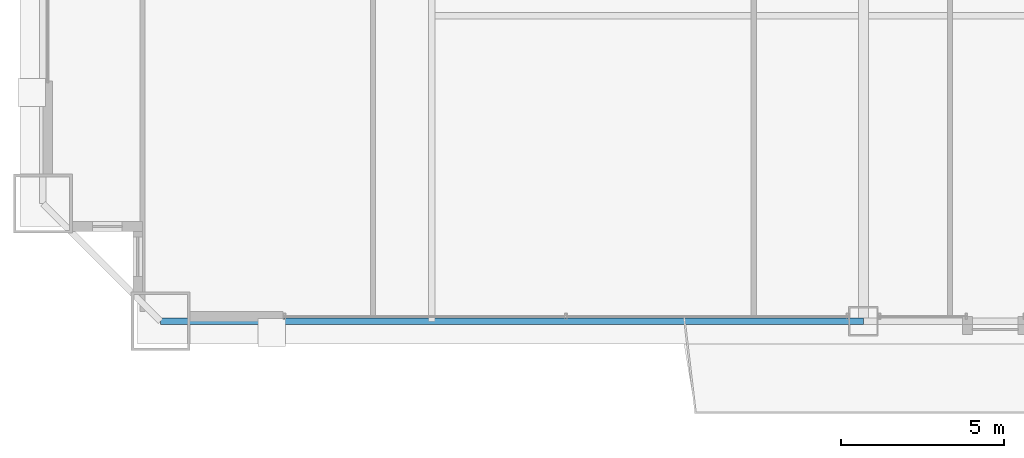
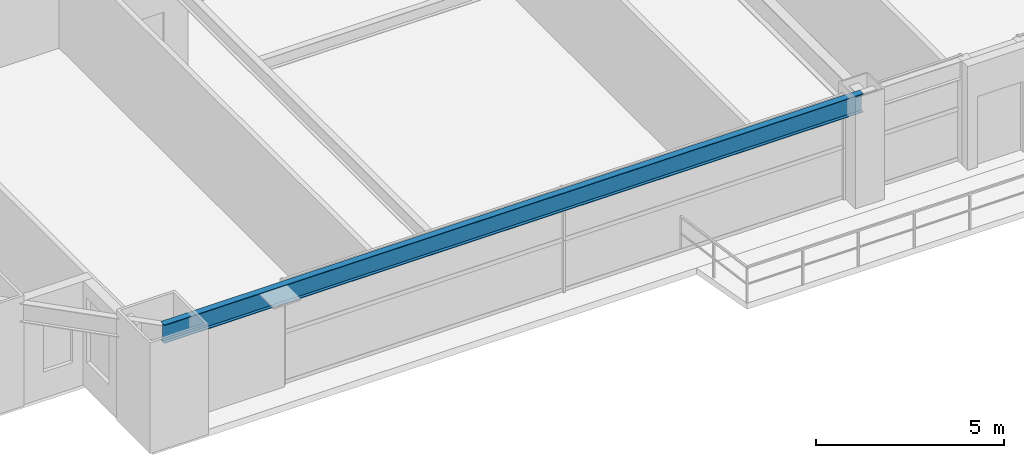
# One storey, part 4 of 43: 1 beam.
"""IFC4 building model written with IfcOpenShell, lengths in metres."""

from ifc_helpers import new_model, si_unit, direction, frame, origin, origin_2d, place, context, subcontext, project, spatial, i_section, extrude, source, transform, mapped, material, material_profile, profile_set, type_object, element, save


model = new_model("IFC4")

# Units and contexts
model_context = context("Model", 3, precision=1e-05, world=origin(), true_north=direction((0.0, 1.0)))
body_context = subcontext(model_context, "Body", "Model", "MODEL_VIEW")
ifc_project = project(units=[si_unit("LENGTHUNIT", "METRE"), si_unit("AREAUNIT", "SQUARE_METRE"), si_unit("VOLUMEUNIT", "CUBIC_METRE"), si_unit("PLANEANGLEUNIT", "RADIAN"), si_unit("MASSUNIT", "GRAM", prefix="KILO"), si_unit("THERMODYNAMICTEMPERATUREUNIT", "KELVIN"), si_unit("POWERUNIT", "WATT")], contexts=[model_context])

# Site, building, storey
site_placement = place(None, origin())
site = spatial("IfcSite", under=ifc_project, at=site_placement, CompositionType="ELEMENT")
building_placement = place(site_placement, origin())
building = spatial("IfcBuilding", under=site, at=building_placement, Name="Yuzanri Waterfront Tower", CompositionType="ELEMENT")
storey_placement = place(building_placement, frame((0.0, 0.0, 78.39990234375)))
storey = spatial("IfcBuildingStorey", under=building, at=storey_placement, Name="L20", CompositionType="ELEMENT", Elevation=78.39990234375)

# Beam
ifc_material = material(Name="Steel Q355B", Category="steel")
ifc_material_profile = material_profile(ifc_material, i_section(OverallWidth=0.199951171875, OverallDepth=0.60009765625, WebThickness=0.010986328125, FlangeThickness=0.01708984375, at=origin_2d()), Name="HN 600x200x11x17")
ifc_profile_set = profile_set([ifc_material_profile], Name="Steel Q355B")
beam_type = type_object("IfcBeamType", Name="Perimeter Spandrel Q355B HN 600x200", PredefinedType="SPANDREL", material=ifc_profile_set)
shared_shape = source(origin(), body_context, "Body", "SweptSolid", [
    extrude(i_section(OverallWidth=0.199951171875, OverallDepth=0.60009765625, WebThickness=0.010986328125, FlangeThickness=0.01708984375, at=origin_2d()), origin(), (0.0, 0.0, 1.0), 21.5),
])
beam_placement = place(storey_placement, frame((15.5, 0.699951171875, 3.080078125), z_axis=(1.0, 0.0, 0.0), x_axis=(0.0, 1.0, 0.0)))
element("IfcBeam", 1, at=beam_placement, inside=storey, type_object=beam_type, Name="L20 Perimeter Spandrel S1-S2", PredefinedType="SPANDREL", context=body_context, shape_type="MappedRepresentation", body=[
    mapped(shared_shape, transform((0.0, 0.0, 0.0), scale=1.0)),
])

save(model, "model.ifc")
